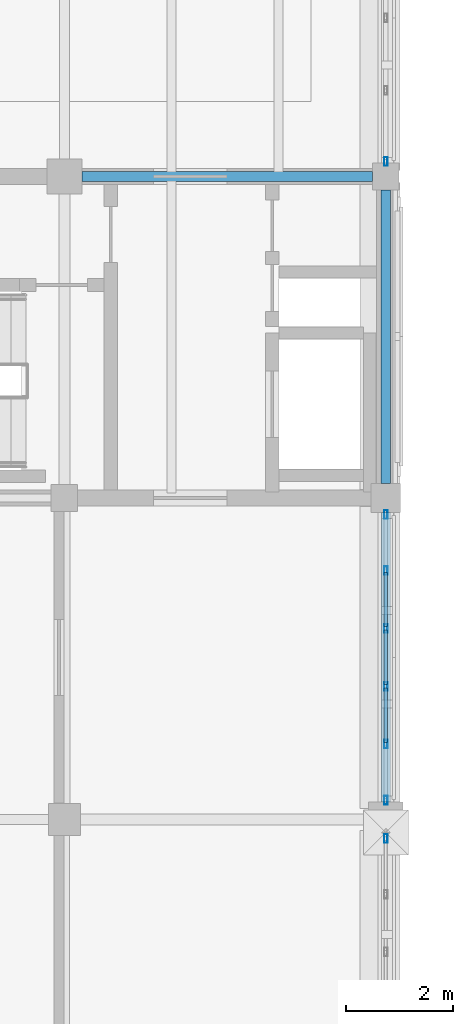
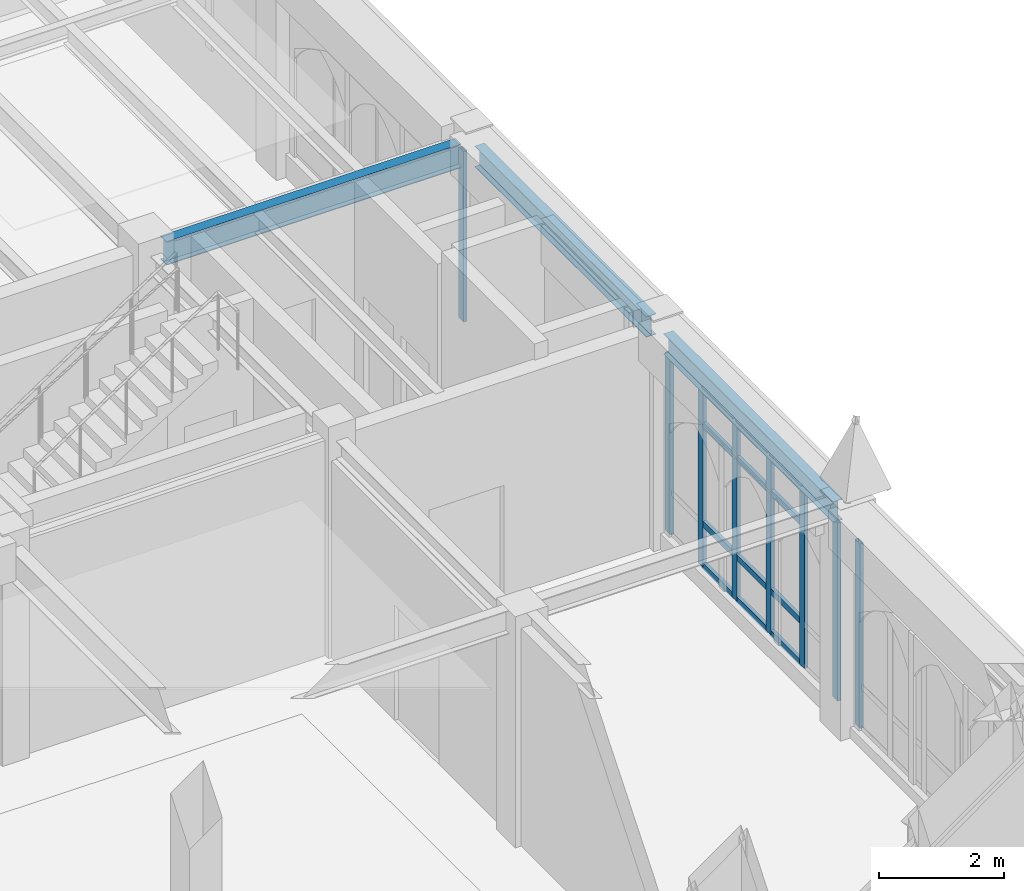
# One storey, part 11 of 127: 20 members, 3 beams, 3 elements without a shape of their own.
"""IFC4 building model written with IfcOpenShell, lengths in metres."""

from ifc_helpers import new_model, si_unit, direction, frame, origin, origin_2d, place, context, subcontext, project, spatial, hollow_rectangle, i_section, extrude, material, layer, layer_set, material_profile, profile_set, type_object, element, aggregate, save


model = new_model("IFC4")

# Units and contexts
model_context = context("Model", 3, precision=1e-05, world=origin(), true_north=direction((0.0, 1.0)))
body_context = subcontext(model_context, "Body", "Model", "MODEL_VIEW")
ifc_project = project(units=[si_unit("LENGTHUNIT", "METRE"), si_unit("AREAUNIT", "SQUARE_METRE"), si_unit("VOLUMEUNIT", "CUBIC_METRE"), si_unit("PLANEANGLEUNIT", "RADIAN"), si_unit("MASSUNIT", "GRAM", prefix="KILO")], contexts=[model_context])

# Site, building, storey
site_placement = place(None, origin())
site = spatial("IfcSite", under=ifc_project, at=site_placement, CompositionType="ELEMENT")
building_placement = place(site_placement, origin())
building = spatial("IfcBuilding", under=site, at=building_placement, Name="Cumevento Cable Car Station", CompositionType="ELEMENT")
storey_placement = place(building_placement, frame((0.0, 0.0, 4.5)))
storey = spatial("IfcBuildingStorey", under=building, at=storey_placement, Name="L02", CompositionType="ELEMENT", Elevation=4.5)

# Curtain wall, member
ifc_material_1 = material(Name="Anodised Bronze Aluminium AW-6063-T6", Category="aluminium")
ifc_layer_1 = layer(ifc_material_1, 0.166015625)
ifc_layer_set_1 = layer_set([ifc_layer_1], Name="Anodised Bronze Aluminium AW-6063-T6")
curtain_wall_type_1 = type_object("IfcCurtainWallType", Name="Lancet Curtain Wall CW-02 1090", PredefinedType="NOTDEFINED", material=ifc_layer_set_1)
curtain_wall_1_placement = place(storey_placement, origin())
curtain_wall_1 = element("IfcCurtainWall", 1, at=curtain_wall_1_placement, inside=storey, type_object=curtain_wall_type_1, Name="Lancet Curtain Wall CW-02 L02 #49", PredefinedType="NOTDEFINED")
ifc_material_2 = material(Name="Anodised Bronze Aluminium AW-6063-T6", Category="aluminium")
ifc_material_profile_1 = material_profile(ifc_material_2, hollow_rectangle(XDim=0.06494140625, YDim=0.159912109375, WallThickness=0.00390625, at=origin_2d()), Name="ALUM65x160x4")
ifc_profile_set_1 = profile_set([ifc_material_profile_1], Name="Anodised Bronze Aluminium AW-6063-T6")
member_type_1 = type_object("IfcMemberType", Name="Curtain Mullion CWM-01 ALUM65x160x4", PredefinedType="MULLION", material=ifc_profile_set_1)
member_1_placement = place(storey_placement, frame((22.0, 20.642578125, 0.2099609375), z_axis=(0.0, 0.0, 1.0), x_axis=(1.0, 0.0, 0.0)))
member_1 = element("IfcMember", 2, at=member_1_placement, type_object=member_type_1, Name="CW-02 mullion 1", PredefinedType="MULLION", context=body_context, shape_type="SweptSolid", body=[
    extrude(hollow_rectangle(XDim=0.06494140625, YDim=0.159912109375, WallThickness=0.00390625, at=origin_2d()), origin(), (0.0, 0.0, 1.0), 3.59912109375),
])
aggregate(curtain_wall_1, [member_1])

# Curtain wall, members
ifc_material_3 = material(Name="Anodised Bronze Aluminium AW-6063-T6", Category="aluminium")
ifc_layer_2 = layer(ifc_material_3, 0.177978515625)
ifc_layer_set_2 = layer_set([ifc_layer_2], Name="Anodised Bronze Aluminium AW-6063-T6")
curtain_wall_type_2 = type_object("IfcCurtainWallType", Name="Lancet Curtain Wall CW-04 1170", PredefinedType="NOTDEFINED", material=ifc_layer_set_2)
curtain_wall_2_placement = place(storey_placement, origin())
curtain_wall_2 = element("IfcCurtainWall", 3, at=curtain_wall_2_placement, inside=storey, type_object=curtain_wall_type_2, Name="Lancet Curtain Wall CW-04 L02 #51", PredefinedType="NOTDEFINED")
member_2_placement = place(storey_placement, frame((22.0, 26.6923828125, 0.31005859375), z_axis=(0.0, 0.0, 1.0), x_axis=(1.0, 0.0, 0.0)))
member_2 = element("IfcMember", 4, at=member_2_placement, type_object=member_type_1, Name="CW-04 mullion 1", PredefinedType="MULLION", context=body_context, shape_type="SweptSolid", body=[
    extrude(hollow_rectangle(XDim=0.06494140625, YDim=0.159912109375, WallThickness=0.00390625, at=origin_2d()), origin(), (0.0, 0.0, 1.0), 3.468017578125),
])
member_3_placement = place(storey_placement, frame((22.0, 25.64501953125, 0.31005859375), z_axis=(0.0, 0.0, 1.0), x_axis=(1.0, 0.0, 0.0)))
member_3 = element("IfcMember", 5, at=member_3_placement, type_object=member_type_1, Name="CW-04 mullion 2", PredefinedType="MULLION", context=body_context, shape_type="SweptSolid", body=[
    extrude(hollow_rectangle(XDim=0.06494140625, YDim=0.159912109375, WallThickness=0.00390625, at=origin_2d()), origin(), (0.0, 0.0, 1.0), 3.468017578125),
])
member_4_placement = place(storey_placement, frame((22.0, 24.56494140625, 0.31005859375), z_axis=(0.0, 0.0, 1.0), x_axis=(1.0, 0.0, 0.0)))
member_4 = element("IfcMember", 6, at=member_4_placement, type_object=member_type_1, Name="CW-04 mullion 3", PredefinedType="MULLION", context=body_context, shape_type="SweptSolid", body=[
    extrude(hollow_rectangle(XDim=0.06494140625, YDim=0.159912109375, WallThickness=0.00390625, at=origin_2d()), origin(), (0.0, 0.0, 1.0), 3.468017578125),
])
member_5_placement = place(storey_placement, frame((22.0, 23.485107421875, 0.31005859375), z_axis=(0.0, 0.0, 1.0), x_axis=(1.0, 0.0, 0.0)))
member_5 = element("IfcMember", 7, at=member_5_placement, type_object=member_type_1, Name="CW-04 mullion 4", PredefinedType="MULLION", context=body_context, shape_type="SweptSolid", body=[
    extrude(hollow_rectangle(XDim=0.06494140625, YDim=0.159912109375, WallThickness=0.00390625, at=origin_2d()), origin(), (0.0, 0.0, 1.0), 3.468017578125),
])
member_6_placement = place(storey_placement, frame((22.0, 22.405029296875, 0.31005859375), z_axis=(0.0, 0.0, 1.0), x_axis=(1.0, 0.0, 0.0)))
member_6 = element("IfcMember", 8, at=member_6_placement, type_object=member_type_1, Name="CW-04 mullion 5", PredefinedType="MULLION", context=body_context, shape_type="SweptSolid", body=[
    extrude(hollow_rectangle(XDim=0.06494140625, YDim=0.159912109375, WallThickness=0.00390625, at=origin_2d()), origin(), (0.0, 0.0, 1.0), 3.468017578125),
])
member_7_placement = place(storey_placement, frame((22.0, 21.357421875, 0.31005859375), z_axis=(0.0, 0.0, 1.0), x_axis=(1.0, 0.0, 0.0)))
member_7 = element("IfcMember", 9, at=member_7_placement, type_object=member_type_1, Name="CW-04 mullion 6", PredefinedType="MULLION", context=body_context, shape_type="SweptSolid", body=[
    extrude(hollow_rectangle(XDim=0.06494140625, YDim=0.159912109375, WallThickness=0.00390625, at=origin_2d()), origin(), (0.0, 0.0, 1.0), 3.468017578125),
])

# Curtain wall, member
ifc_material_4 = material(Name="Anodised Bronze Aluminium AW-6063-T6", Category="aluminium")
ifc_layer_3 = layer(ifc_material_4, 0.196044921875)
ifc_layer_set_3 = layer_set([ifc_layer_3], Name="Anodised Bronze Aluminium AW-6063-T6")
curtain_wall_type_3 = type_object("IfcCurtainWallType", Name="Lancet Curtain Wall CW-07 1290", PredefinedType="NOTDEFINED", material=ifc_layer_set_3)
curtain_wall_3_placement = place(storey_placement, origin())
curtain_wall_3 = element("IfcCurtainWall", 10, at=curtain_wall_3_placement, inside=storey, type_object=curtain_wall_type_3, Name="Lancet Curtain Wall CW-07 L02 #54", PredefinedType="NOTDEFINED")
member_8_placement = place(storey_placement, frame((22.0, 33.282470703125, 0.4599609375), z_axis=(0.0, 0.0, 1.0), x_axis=(1.0, 0.0, 0.0)))
member_8 = element("IfcMember", 11, at=member_8_placement, type_object=member_type_1, Name="CW-07 mullion 5", PredefinedType="MULLION", context=body_context, shape_type="SweptSolid", body=[
    extrude(hollow_rectangle(XDim=0.06494140625, YDim=0.159912109375, WallThickness=0.00390625, at=origin_2d()), origin(), (0.0, 0.0, 1.0), 3.318115234375),
])
aggregate(curtain_wall_3, [member_8])

# Member
ifc_material_5 = material(Name="Anodised Bronze Aluminium AW-6063-T6", Category="aluminium")
ifc_material_profile_2 = material_profile(ifc_material_5, hollow_rectangle(XDim=0.06494140625, YDim=0.1201171875, WallThickness=0.00390625, at=origin_2d()), Name="ALUT65x120x4")
ifc_profile_set_2 = profile_set([ifc_material_profile_2], Name="Anodised Bronze Aluminium AW-6063-T6")
member_type_2 = type_object("IfcMemberType", Name="Curtain Transom CWT-01 ALUT65x120x4", PredefinedType="USERDEFINED", material=ifc_profile_set_2)
member_9_placement = place(storey_placement, frame((22.0, 25.612548828125, 0.342529296875), z_axis=(0.0, -1.0, 0.0), x_axis=(1.0, 0.0, 0.0)))
member_9 = element("IfcMember", 12, at=member_9_placement, type_object=member_type_2, Name="CW-04 transom 2.1", ObjectType="TRANSOM", PredefinedType="USERDEFINED", context=body_context, shape_type="SweptSolid", body=[
    extrude(hollow_rectangle(XDim=0.06494140625, YDim=0.1201171875, WallThickness=0.00390625, at=origin_2d()), origin(), (0.0, 0.0, 1.0), 1.01513671875),
])

member_10_placement = place(storey_placement, frame((22.0, 25.612548828125, 1.159912109375), z_axis=(0.0, -1.0, 0.0), x_axis=(1.0, 0.0, 0.0)))
member_10 = element("IfcMember", 13, at=member_10_placement, type_object=member_type_2, Name="CW-04 transom 2.2", ObjectType="TRANSOM", PredefinedType="USERDEFINED", context=body_context, shape_type="SweptSolid", body=[
    extrude(hollow_rectangle(XDim=0.06494140625, YDim=0.1201171875, WallThickness=0.00390625, at=origin_2d()), origin(), (0.0, 0.0, 1.0), 1.01513671875),
])

member_11_placement = place(storey_placement, frame((22.0, 25.612548828125, 3.077880859375), z_axis=(0.0, -1.0, 0.0), x_axis=(1.0, 0.0, 0.0)))
member_11 = element("IfcMember", 14, at=member_11_placement, type_object=member_type_2, Name="CW-04 transom 2.3", ObjectType="TRANSOM", PredefinedType="USERDEFINED", context=body_context, shape_type="SweptSolid", body=[
    extrude(hollow_rectangle(XDim=0.06494140625, YDim=0.1201171875, WallThickness=0.00390625, at=origin_2d()), origin(), (0.0, 0.0, 1.0), 1.01513671875),
])

member_12_placement = place(storey_placement, frame((22.0, 25.612548828125, 3.74560546875), z_axis=(0.0, -1.0, 0.0), x_axis=(1.0, 0.0, 0.0)))
member_12 = element("IfcMember", 15, at=member_12_placement, type_object=member_type_2, Name="CW-04 transom 2.4", ObjectType="TRANSOM", PredefinedType="USERDEFINED", context=body_context, shape_type="SweptSolid", body=[
    extrude(hollow_rectangle(XDim=0.06494140625, YDim=0.1201171875, WallThickness=0.00390625, at=origin_2d()), origin(), (0.0, 0.0, 1.0), 1.01513671875),
])

member_13_placement = place(storey_placement, frame((22.0, 24.532470703125, 0.342529296875), z_axis=(0.0, -1.0, 0.0), x_axis=(1.0, 0.0, 0.0)))
member_13 = element("IfcMember", 16, at=member_13_placement, type_object=member_type_2, Name="CW-04 transom 3.1", ObjectType="TRANSOM", PredefinedType="USERDEFINED", context=body_context, shape_type="SweptSolid", body=[
    extrude(hollow_rectangle(XDim=0.06494140625, YDim=0.1201171875, WallThickness=0.00390625, at=origin_2d()), origin(), (0.0, 0.0, 1.0), 1.014892578125),
])

member_14_placement = place(storey_placement, frame((22.0, 24.532470703125, 1.159912109375), z_axis=(0.0, -1.0, 0.0), x_axis=(1.0, 0.0, 0.0)))
member_14 = element("IfcMember", 17, at=member_14_placement, type_object=member_type_2, Name="CW-04 transom 3.2", ObjectType="TRANSOM", PredefinedType="USERDEFINED", context=body_context, shape_type="SweptSolid", body=[
    extrude(hollow_rectangle(XDim=0.06494140625, YDim=0.1201171875, WallThickness=0.00390625, at=origin_2d()), origin(), (0.0, 0.0, 1.0), 1.014892578125),
])

member_15_placement = place(storey_placement, frame((22.0, 24.532470703125, 3.077880859375), z_axis=(0.0, -1.0, 0.0), x_axis=(1.0, 0.0, 0.0)))
member_15 = element("IfcMember", 18, at=member_15_placement, type_object=member_type_2, Name="CW-04 transom 3.3", ObjectType="TRANSOM", PredefinedType="USERDEFINED", context=body_context, shape_type="SweptSolid", body=[
    extrude(hollow_rectangle(XDim=0.06494140625, YDim=0.1201171875, WallThickness=0.00390625, at=origin_2d()), origin(), (0.0, 0.0, 1.0), 1.014892578125),
])

member_16_placement = place(storey_placement, frame((22.0, 24.532470703125, 3.74560546875), z_axis=(0.0, -1.0, 0.0), x_axis=(1.0, 0.0, 0.0)))
member_16 = element("IfcMember", 19, at=member_16_placement, type_object=member_type_2, Name="CW-04 transom 3.4", ObjectType="TRANSOM", PredefinedType="USERDEFINED", context=body_context, shape_type="SweptSolid", body=[
    extrude(hollow_rectangle(XDim=0.06494140625, YDim=0.1201171875, WallThickness=0.00390625, at=origin_2d()), origin(), (0.0, 0.0, 1.0), 1.014892578125),
])

member_17_placement = place(storey_placement, frame((22.0, 23.452392578125, 0.342529296875), z_axis=(0.0, -1.0, 0.0), x_axis=(1.0, 0.0, 0.0)))
member_17 = element("IfcMember", 20, at=member_17_placement, type_object=member_type_2, Name="CW-04 transom 4.1", ObjectType="TRANSOM", PredefinedType="USERDEFINED", context=body_context, shape_type="SweptSolid", body=[
    extrude(hollow_rectangle(XDim=0.06494140625, YDim=0.1201171875, WallThickness=0.00390625, at=origin_2d()), origin(), (0.0, 0.0, 1.0), 1.014892578125),
])

member_18_placement = place(storey_placement, frame((22.0, 23.452392578125, 1.159912109375), z_axis=(0.0, -1.0, 0.0), x_axis=(1.0, 0.0, 0.0)))
member_18 = element("IfcMember", 21, at=member_18_placement, type_object=member_type_2, Name="CW-04 transom 4.2", ObjectType="TRANSOM", PredefinedType="USERDEFINED", context=body_context, shape_type="SweptSolid", body=[
    extrude(hollow_rectangle(XDim=0.06494140625, YDim=0.1201171875, WallThickness=0.00390625, at=origin_2d()), origin(), (0.0, 0.0, 1.0), 1.014892578125),
])

member_19_placement = place(storey_placement, frame((22.0, 23.452392578125, 3.077880859375), z_axis=(0.0, -1.0, 0.0), x_axis=(1.0, 0.0, 0.0)))
member_19 = element("IfcMember", 22, at=member_19_placement, type_object=member_type_2, Name="CW-04 transom 4.3", ObjectType="TRANSOM", PredefinedType="USERDEFINED", context=body_context, shape_type="SweptSolid", body=[
    extrude(hollow_rectangle(XDim=0.06494140625, YDim=0.1201171875, WallThickness=0.00390625, at=origin_2d()), origin(), (0.0, 0.0, 1.0), 1.014892578125),
])

member_20_placement = place(storey_placement, frame((22.0, 23.452392578125, 3.74560546875), z_axis=(0.0, -1.0, 0.0), x_axis=(1.0, 0.0, 0.0)))
member_20 = element("IfcMember", 23, at=member_20_placement, type_object=member_type_2, Name="CW-04 transom 4.4", ObjectType="TRANSOM", PredefinedType="USERDEFINED", context=body_context, shape_type="SweptSolid", body=[
    extrude(hollow_rectangle(XDim=0.06494140625, YDim=0.1201171875, WallThickness=0.00390625, at=origin_2d()), origin(), (0.0, 0.0, 1.0), 1.014892578125),
])

aggregate(curtain_wall_2, [member_2, member_3, member_4, member_5, member_6, member_7, member_9, member_10, member_11, member_12, member_13, member_14, member_15, member_16, member_17, member_18, member_19, member_20])

# Beams
ifc_material_6 = material(Name="Steel ASTM A572 Grade 50", Category="steel")
ifc_material_profile_3 = material_profile(ifc_material_6, i_section(OverallWidth=0.19189453125, OverallDepth=0.462890625, WebThickness=0.010498046875, FlangeThickness=0.017578125, at=origin_2d()), Name="W460x89.0")
ifc_profile_set_3 = profile_set([ifc_material_profile_3], Name="Steel ASTM A572 Grade 50")
beam_type_1 = type_object("IfcBeamType", Name="Structural Beam BM-10 W460x89.0", PredefinedType="BEAM", material=ifc_profile_set_3)
beam_1_placement = place(storey_placement, frame((16.324951171875, 33.0, 3.95361328125), z_axis=(1.0, 0.0, 0.0), x_axis=(0.0, 1.0, 0.0)))
element("IfcBeam", 24, at=beam_1_placement, inside=storey, type_object=beam_type_1, Name="Beam BM-10 L02 #535", PredefinedType="BEAM", context=body_context, shape_type="SweptSolid", body=[
    extrude(i_section(OverallWidth=0.19189453125, OverallDepth=0.462890625, WebThickness=0.010498046875, FlangeThickness=0.017578125, at=origin_2d()), origin(), (0.0, 0.0, 1.0), 5.425048828125),
])
ifc_material_7 = material(Name="Steel ASTM A572 Grade 50", Category="steel")
ifc_material_profile_4 = material_profile(ifc_material_7, i_section(OverallWidth=0.177978515625, OverallDepth=0.406982421875, WebThickness=0.0078125, FlangeThickness=0.0126953125, at=origin_2d()), Name="W410x60.0")
ifc_profile_set_4 = profile_set([ifc_material_profile_4], Name="Steel ASTM A572 Grade 50")
beam_type_2 = type_object("IfcBeamType", Name="Structural Spandrel SP-01 W410x60.0", PredefinedType="SPANDREL", material=ifc_profile_set_4)
beam_2_placement = place(storey_placement, frame((22.0, 21.324951171875, 3.9814453125), z_axis=(0.0, 1.0, 0.0), x_axis=(-1.0, 0.0, 0.0)))
element("IfcBeam", 25, at=beam_2_placement, inside=storey, type_object=beam_type_2, Name="Beam SP-01 L02 #533", PredefinedType="SPANDREL", context=body_context, shape_type="SweptSolid", body=[
    extrude(i_section(OverallWidth=0.177978515625, OverallDepth=0.406982421875, WebThickness=0.0078125, FlangeThickness=0.0126953125, at=origin_2d()), origin(), (0.0, 0.0, 1.0), 5.400146484375),
])
beam_3_placement = place(storey_placement, frame((22.0, 27.27490234375, 3.9814453125), z_axis=(0.0, 1.0, 0.0), x_axis=(-1.0, 0.0, 0.0)))
element("IfcBeam", 26, at=beam_3_placement, inside=storey, type_object=beam_type_2, Name="Beam SP-01 L02 #538", PredefinedType="SPANDREL", context=body_context, shape_type="SweptSolid", body=[
    extrude(i_section(OverallWidth=0.177978515625, OverallDepth=0.406982421875, WebThickness=0.0078125, FlangeThickness=0.0126953125, at=origin_2d()), origin(), (0.0, 0.0, 1.0), 5.47509765625),
])

save(model, "model.ifc")
